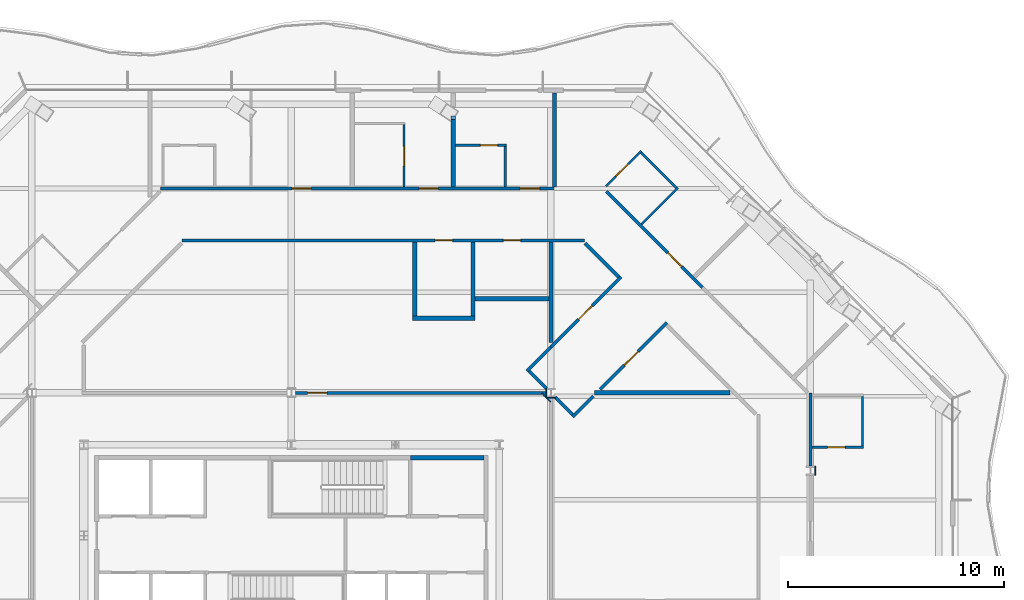
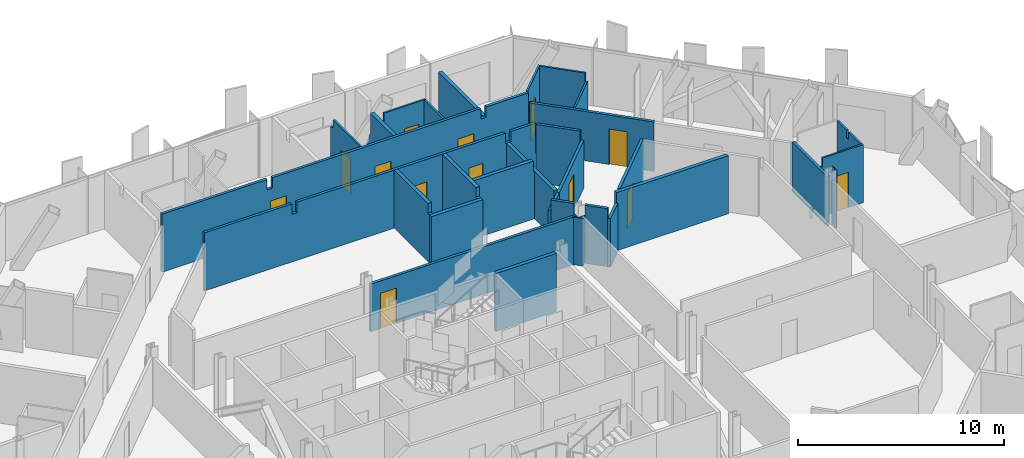
# One storey, part 12 of 21: 33 walls, 13 doors, 13 openings.
"""IFC4 building model written with IfcOpenShell, lengths in metres."""

from ifc_helpers import new_model, si_unit, direction, frame, frame_2d, origin, place, context, subcontext, project, spatial, polyline, rectangle, outline, extrude, material, layer, layer_set, type_object, element, fill, save


model = new_model("IFC4")

# Units and contexts
model_context = context("Model", 3, precision=1e-05, world=origin(), true_north=direction((0.0, 1.0)))
body_context = subcontext(model_context, "Body", "Model", "MODEL_VIEW")
ifc_project = project(units=[si_unit("LENGTHUNIT", "METRE"), si_unit("AREAUNIT", "SQUARE_METRE"), si_unit("VOLUMEUNIT", "CUBIC_METRE"), si_unit("PLANEANGLEUNIT", "RADIAN"), si_unit("MASSUNIT", "GRAM", prefix="KILO")], contexts=[model_context])

# Site, building, storey
site_placement = place(None, origin())
site = spatial("IfcSite", under=ifc_project, at=site_placement, CompositionType="ELEMENT")
building_placement = place(site_placement, origin())
building = spatial("IfcBuilding", under=site, at=building_placement, Name="Cairn Pilgrim Tower", CompositionType="ELEMENT")
storey_placement = place(building_placement, frame((0.0, 0.0, 183.0)))
storey = spatial("IfcBuildingStorey", under=building, at=storey_placement, Name="L46", CompositionType="ELEMENT", Elevation=183.0)

# Wall
ifc_material_1 = material(Name="Concrete C32/40", Category="concrete")
ifc_layer_1 = layer(ifc_material_1, 0.199951171875)
ifc_layer_set_1 = layer_set([ifc_layer_1], Name="CORE OUTER WALL 200 EI 120")
wall_type_1 = type_object("IfcWallType", Name="CORE OUTER WALL 200 EI 120", PredefinedType="SOLIDWALL", material=ifc_layer_set_1)
wall_1_placement = place(storey_placement, frame((12.699951171875, 10.199951171875, 0.0), z_axis=(0.0, 0.0, 1.0), x_axis=(1.0, 0.0, 0.0)))
element("IfcWall", 1, at=wall_1_placement, inside=storey, type_object=wall_type_1, Name="CW:L46:H12-3", PredefinedType="SOLIDWALL", context=body_context, shape_type="SweptSolid", body=[
    extrude(rectangle(XDim=3.400146484375, YDim=0.199951171875, at=frame_2d((1.7001953125, 0.0))), origin(), (0.0, 0.0, 1.0), 3.449951171875),
])

# Wall, opening, door
ifc_material_2 = material(Name="Gypsum partition")
ifc_layer_2 = layer(ifc_material_2, 0.10009765625)
ifc_layer_set_2 = layer_set([ifc_layer_2], Name="PARTITION 100 DRYWALL")
wall_type_2 = type_object("IfcWallType", Name="PARTITION 100 DRYWALL", PredefinedType="PARTITIONING", material=ifc_layer_set_2)
wall_2_placement = place(storey_placement, frame((31.27490234375, 10.68701171875, 0.0), z_axis=(0.0, 0.0, 1.0), x_axis=(1.0, 0.0, 0.0)))
wall_2 = element("IfcWall", 2, at=wall_2_placement, inside=storey, type_object=wall_type_2, Name="PARTITION W063", PredefinedType="PARTITIONING", context=body_context, shape_type="SweptSolid", body=[
    extrude(outline(polyline([(0.0, 0.0), (2.375, 0.0), (2.375, 3.449951171875), (0.074951171875, 3.449951171875), (0.072998046875, 2.929931640625), (0.0, 2.929931640625), (0.0, 0.0)])), frame((0.0, 0.050048828125, 0.0), z_axis=(0.0, -1.0, 0.0), x_axis=(1.0, 0.0, 0.0)), (0.0, 0.0, 1.0), 0.10009765625),
])
opening_1_placement = place(wall_2_placement, frame((0.72509765625, 0.0, 0.0)))
opening_1 = element("IfcOpeningElement", 3, at=opening_1_placement, cuts=wall_2, Name="Opening 4605A", PredefinedType="OPENING", context=body_context, shape_type="SweptSolid", body=[
    extrude(rectangle(XDim=0.800048828125, YDim=2.10009765625, at=frame_2d((0.39990234375, 1.050048828125))), frame((0.0, 0.06005859375, 0.0), z_axis=(0.0, -1.0, 0.0), x_axis=(1.0, 0.0, 0.0)), (0.0, 0.0, 1.0), 0.1201171875),
])
ifc_material_3 = material(Name="Timber door leaf", Category="wood")
door_type_1 = type_object("IfcDoorType", Name="WC DOOR 800x2100", OperationType="NOTDEFINED", PredefinedType="DOOR", material=ifc_material_3)
door_1_placement = place(opening_1_placement, frame((0.800048828125, 0.0, 0.0), z_axis=(0.0, 0.0, 1.0), x_axis=(-1.0, 0.0, 0.0)))
door_1 = element("IfcDoor", 4, at=door_1_placement, inside=storey, type_object=door_type_1, Name="DOOR 4605A", OperationType="SINGLE_SWING_RIGHT", OverallHeight=2.10009765625, OverallWidth=0.800048828125, PredefinedType="DOOR", context=body_context, shape_type="SweptSolid", body=[
    extrude(rectangle(XDim=0.800048828125, YDim=2.10009765625, at=frame_2d((0.39990234375, 1.050048828125))), frame((0.0, 0.02490234375, 0.0), z_axis=(0.0, -1.0, 0.0), x_axis=(1.0, 0.0, 0.0)), (0.0, 0.0, 1.0), 0.050048828125),
])
fill(opening_1, door_1)

# Walls
wall_3_placement = place(storey_placement, frame((33.60009765625, 10.737060546875, 0.0), z_axis=(0.0, 0.0, 1.0), x_axis=(0.0, 1.0, 0.0)))
element("IfcWall", 5, at=wall_3_placement, inside=storey, type_object=wall_type_2, Name="PARTITION W064", PredefinedType="PARTITIONING", context=body_context, shape_type="SweptSolid", body=[
    extrude(outline(polyline([(0.0, 0.0), (2.300048828125, 0.0), (2.300048828125, 3.449951171875), (1.35791015625, 3.449951171875), (1.35595703125, 2.97998046875), (1.16796875, 2.97998046875), (1.166015625, 3.449951171875), (0.0, 3.449951171875), (0.0, 0.0)])), frame((0.0, 0.050048828125, 0.0), z_axis=(0.0, -1.0, 0.0), x_axis=(1.0, 0.0, 0.0)), (0.0, 0.0, 1.0), 0.10009765625),
])
wall_4_placement = place(storey_placement, frame((23.386962890625, 21.006103515625, 0.0), z_axis=(0.0, 0.0, 1.0), x_axis=(0.707158179099, 0.707055379538, 0.0)))
element("IfcWall", 6, at=wall_4_placement, inside=storey, type_object=wall_type_2, Name="PARTITION W098", PredefinedType="PARTITIONING", context=body_context, shape_type="SweptSolid", body=[
    extrude(rectangle(XDim=2.375, YDim=0.10009765625, at=frame_2d((1.1875, 0.0))), origin(), (0.0, 0.0, 1.0), 2.929931640625),
])

# Wall, opening, door
wall_5_placement = place(storey_placement, frame((12.412109375, 22.72509765625, 0.0), z_axis=(0.0, 0.0, 1.0), x_axis=(0.0, 1.0, 0.0)))
wall_5 = element("IfcWall", 7, at=wall_5_placement, inside=storey, type_object=wall_type_2, Name="PARTITION W106", PredefinedType="PARTITIONING", context=body_context, shape_type="SweptSolid", body=[
    extrude(outline(polyline([(0.0, 0.0), (2.875, 0.0), (2.875, 2.929931640625), (2.625, 2.929931640625), (2.623046875, 3.449951171875), (0.0, 3.449951171875), (0.0, 0.0)])), frame((0.0, 0.050048828125, 0.0), z_axis=(0.0, -1.0, 0.0), x_axis=(1.0, 0.0, 0.0)), (0.0, 0.0, 1.0), 0.10009765625),
])
opening_2_placement = place(wall_5_placement, frame((0.97509765625, 0.0, 0.0)))
opening_2 = element("IfcOpeningElement", 8, at=opening_2_placement, cuts=wall_5, Name="Opening 4609A", PredefinedType="OPENING", context=body_context, shape_type="SweptSolid", body=[
    extrude(rectangle(XDim=0.89990234375, YDim=2.10009765625, at=frame_2d((0.449951171875, 1.050048828125))), frame((0.0, 0.06005859375, 0.0), z_axis=(0.0, -1.0, 0.0), x_axis=(1.0, 0.0, 0.0)), (0.0, 0.0, 1.0), 0.1201171875),
])
door_type_2 = type_object("IfcDoorType", Name="WC DOOR 900x2100", OperationType="NOTDEFINED", PredefinedType="DOOR", material=ifc_material_3)
door_2_placement = place(opening_2_placement, frame((0.89990234375, 0.0, 0.0), z_axis=(0.0, 0.0, 1.0), x_axis=(-1.0, 0.0, 0.0)))
door_2 = element("IfcDoor", 9, at=door_2_placement, inside=storey, type_object=door_type_2, Name="DOOR 4609A", OperationType="SINGLE_SWING_RIGHT", OverallHeight=2.10009765625, OverallWidth=0.89990234375, PredefinedType="DOOR", context=body_context, shape_type="SweptSolid", body=[
    extrude(rectangle(XDim=0.89990234375, YDim=2.10009765625, at=frame_2d((0.449951171875, 1.050048828125))), frame((0.0, 0.02490234375, 0.0), z_axis=(0.0, -1.0, 0.0), x_axis=(1.0, 0.0, 0.0)), (0.0, 0.0, 1.0), 0.050048828125),
])
fill(opening_2, door_2)

# Walls
wall_6_placement = place(storey_placement, frame((17.087890625, 22.72509765625, 0.0), z_axis=(0.0, 0.0, 1.0), x_axis=(0.0, 1.0, 0.0)))
element("IfcWall", 10, at=wall_6_placement, inside=storey, type_object=wall_type_2, Name="PARTITION W108", PredefinedType="PARTITIONING", context=body_context, shape_type="SweptSolid", body=[
    extrude(rectangle(XDim=1.875, YDim=0.10009765625, at=frame_2d((0.9375, 0.0))), origin(), (0.0, 0.0, 1.0), 3.449951171875),
])
wall_7_placement = place(storey_placement, frame((24.99560546875, 22.685302734375, 0.0), z_axis=(0.0, 0.0, 1.0), x_axis=(-0.707106781187, 0.707106781187, 0.0)))
element("IfcWall", 11, at=wall_7_placement, inside=storey, type_object=wall_type_2, Name="PARTITION W110", PredefinedType="PARTITIONING", context=body_context, shape_type="SweptSolid", body=[
    extrude(rectangle(XDim=2.2998046875, YDim=0.10009765625, at=frame_2d((1.14990234375, 0.0))), origin(), (0.0, 0.0, 1.0), 3.449951171875),
])

# Wall, opening, door
wall_8_placement = place(storey_placement, frame((21.747314453125, 22.760498046875, 0.0), z_axis=(0.0, 0.0, 1.0), x_axis=(0.707159997125, 0.707053561243, 0.0)))
wall_8 = element("IfcWall", 12, at=wall_8_placement, inside=storey, type_object=wall_type_2, Name="PARTITION W111", PredefinedType="PARTITIONING", context=body_context, shape_type="SweptSolid", body=[
    extrude(rectangle(XDim=2.293701171875, YDim=0.10009765625, at=frame_2d((1.14697265625, 0.0))), origin(), (0.0, 0.0, 1.0), 3.449951171875),
])
opening_3_placement = place(wall_8_placement, frame((0.643798828125, 0.0, 0.0)))
opening_3 = element("IfcOpeningElement", 13, at=opening_3_placement, cuts=wall_8, Name="Opening 4607A", PredefinedType="OPENING", context=body_context, shape_type="SweptSolid", body=[
    extrude(rectangle(XDim=0.800048828125, YDim=2.10009765625, at=frame_2d((0.39990234375, 1.050048828125))), frame((0.0, 0.06005859375, 0.0), z_axis=(0.0, -1.0, 0.0), x_axis=(1.0, 0.0, 0.0)), (0.0, 0.0, 1.0), 0.1201171875),
])
door_3_placement = place(opening_3_placement, origin())
door_3 = element("IfcDoor", 14, at=door_3_placement, inside=storey, type_object=door_type_1, Name="DOOR 4607A", OperationType="SINGLE_SWING_RIGHT", OverallHeight=2.10009765625, OverallWidth=0.800048828125, PredefinedType="DOOR", context=body_context, shape_type="SweptSolid", body=[
    extrude(rectangle(XDim=0.800048828125, YDim=2.10009765625, at=frame_2d((0.39990234375, 1.050048828125))), frame((0.0, 0.02490234375, 0.0), z_axis=(0.0, -1.0, 0.0), x_axis=(1.0, 0.0, 0.0)), (0.0, 0.0, 1.0), 0.050048828125),
])
fill(opening_3, door_3)

wall_9_placement = place(storey_placement, frame((14.7880859375, 24.64990234375, 0.0), z_axis=(0.0, 0.0, 1.0), x_axis=(1.0, 0.0, 0.0)))
wall_9 = element("IfcWall", 15, at=wall_9_placement, inside=storey, type_object=wall_type_2, Name="PARTITION W113", PredefinedType="PARTITIONING", context=body_context, shape_type="SweptSolid", body=[
    extrude(rectangle(XDim=2.349853515625, YDim=0.10009765625, at=frame_2d((1.1748046875, 0.0))), origin(), (0.0, 0.0, 1.0), 3.449951171875),
])
opening_4_placement = place(wall_9_placement, frame((1.14990234375, 0.0, 0.0)))
opening_4 = element("IfcOpeningElement", 16, at=opening_4_placement, cuts=wall_9, Name="Opening 4608A", PredefinedType="OPENING", context=body_context, shape_type="SweptSolid", body=[
    extrude(rectangle(XDim=0.800048828125, YDim=2.10009765625, at=frame_2d((0.39990234375, 1.050048828125))), frame((0.0, 0.06005859375, 0.0), z_axis=(0.0, -1.0, 0.0), x_axis=(1.0, 0.0, 0.0)), (0.0, 0.0, 1.0), 0.1201171875),
])
door_4_placement = place(opening_4_placement, origin())
door_4 = element("IfcDoor", 17, at=door_4_placement, inside=storey, type_object=door_type_1, Name="DOOR 4608A", OperationType="SINGLE_SWING_RIGHT", OverallHeight=2.10009765625, OverallWidth=0.800048828125, PredefinedType="DOOR", context=body_context, shape_type="SweptSolid", body=[
    extrude(rectangle(XDim=0.800048828125, YDim=2.10009765625, at=frame_2d((0.39990234375, 1.050048828125))), frame((0.0, 0.02490234375, 0.0), z_axis=(0.0, -1.0, 0.0), x_axis=(1.0, 0.0, 0.0)), (0.0, 0.0, 1.0), 0.050048828125),
])
fill(opening_4, door_4)

# Walls
ifc_layer_3 = layer(ifc_material_2, 0.14990234375)
ifc_layer_set_3 = layer_set([ifc_layer_3], Name="PARTITION 150 DRYWALL EI 60")
wall_type_3 = type_object("IfcWallType", Name="PARTITION 150 DRYWALL EI 60", PredefinedType="PARTITIONING", material=ifc_layer_set_3)
wall_10_placement = place(storey_placement, frame((31.199951171875, 9.8125, 0.0), z_axis=(0.0, 0.0, 1.0), x_axis=(0.0, 1.0, 0.0)))
element("IfcWall", 18, at=wall_10_placement, inside=storey, type_object=wall_type_3, Name="PARTITION W062", PredefinedType="PARTITIONING", context=body_context, shape_type="SweptSolid", body=[
    extrude(rectangle(XDim=3.38037109375, YDim=0.14990234375, at=frame_2d((1.690185546875, 0.0))), origin(), (0.0, 0.0, 1.0), 2.929931640625),
])
wall_11_placement = place(storey_placement, frame((20.2080078125, 12.0859375, 0.0), z_axis=(0.0, 0.0, 1.0), x_axis=(0.706747296365, 0.707466083343, 0.0)))
element("IfcWall", 19, at=wall_11_placement, inside=storey, type_object=wall_type_3, Name="PARTITION W067", PredefinedType="PARTITIONING", context=body_context, shape_type="SweptSolid", body=[
    extrude(rectangle(XDim=1.358642578125, YDim=0.14990234375, at=frame_2d((0.67919921875, 0.0))), origin(), (0.0, 0.0, 1.0), 2.8798828125),
])
wall_12_placement = place(storey_placement, frame((20.2080078125, 12.192138671875, 0.0), z_axis=(0.0, 0.0, 1.0), x_axis=(-0.70721334539, 0.707000200921, 0.0)))
element("IfcWall", 20, at=wall_12_placement, inside=storey, type_object=wall_type_3, Name="PARTITION W068", PredefinedType="PARTITIONING", context=body_context, shape_type="SweptSolid", body=[
    extrude(rectangle(XDim=1.1455078125, YDim=0.14990234375, at=frame_2d((0.57275390625, 0.0))), origin(), (0.0, 0.0, 1.0), 3.449951171875),
])

# Wall, opening, door
wall_13_placement = place(storey_placement, frame((7.3994140625, 13.199951171875, 0.0), z_axis=(0.0, 0.0, 1.0), x_axis=(1.0, 0.0, 0.0)))
wall_13 = element("IfcWall", 21, at=wall_13_placement, inside=storey, type_object=wall_type_3, Name="PARTITION W073", PredefinedType="PARTITIONING", context=body_context, shape_type="SweptSolid", body=[
    extrude(rectangle(XDim=11.60107421875, YDim=0.14990234375, at=frame_2d((5.800537109375, 0.0))), origin(), (0.0, 0.0, 1.0), 2.830078125),
])
opening_5_placement = place(wall_13_placement, frame((0.550537109375, 0.0, 0.0)))
opening_5 = element("IfcOpeningElement", 22, at=opening_5_placement, cuts=wall_13, Name="Opening 4624", PredefinedType="OPENING", context=body_context, shape_type="SweptSolid", body=[
    extrude(rectangle(XDim=0.89990234375, YDim=2.10009765625, at=frame_2d((0.449951171875, 1.050048828125))), frame((0.0, 0.0849609375, 0.0), z_axis=(0.0, -1.0, 0.0), x_axis=(1.0, 0.0, 0.0)), (0.0, 0.0, 1.0), 0.169921875),
])
door_type_3 = type_object("IfcDoorType", Name="SERVICE DOOR 900x2100 FD30S", OperationType="NOTDEFINED", PredefinedType="DOOR", material=ifc_material_3)
door_5_placement = place(opening_5_placement, origin())
door_5 = element("IfcDoor", 23, at=door_5_placement, inside=storey, type_object=door_type_3, Name="DOOR 4624", OperationType="SINGLE_SWING_RIGHT", OverallHeight=2.10009765625, OverallWidth=0.89990234375, PredefinedType="DOOR", context=body_context, shape_type="SweptSolid", body=[
    extrude(rectangle(XDim=0.89990234375, YDim=2.10009765625, at=frame_2d((0.449951171875, 1.050048828125))), frame((0.0, 0.02490234375, 0.0), z_axis=(0.0, -1.0, 0.0), x_axis=(1.0, 0.0, 0.0)), (0.0, 0.0, 1.0), 0.050048828125),
])
fill(opening_5, door_5)

# Wall
wall_14_placement = place(storey_placement, frame((19.001953125, 13.39794921875, 0.0), z_axis=(0.0, 0.0, 1.0), x_axis=(-0.707000200921, 0.70721334539, 0.0)))
element("IfcWall", 24, at=wall_14_placement, inside=storey, type_object=wall_type_3, Name="PARTITION W077", PredefinedType="PARTITIONING", context=body_context, shape_type="SweptSolid", body=[
    extrude(rectangle(XDim=1.1455078125, YDim=0.14990234375, at=frame_2d((0.57275390625, 0.0))), origin(), (0.0, 0.0, 1.0), 3.449951171875),
])

# Wall, opening, door
wall_15_placement = place(storey_placement, frame((21.47412109375, 13.35302734375, 0.0), z_axis=(0.0, 0.0, 1.0), x_axis=(0.707078810744, 0.707134750523, 0.0)))
wall_15 = element("IfcWall", 25, at=wall_15_placement, inside=storey, type_object=wall_type_3, Name="PARTITION W078", PredefinedType="PARTITIONING", context=body_context, shape_type="SweptSolid", body=[
    extrude(rectangle(XDim=4.3642578125, YDim=0.14990234375, at=frame_2d((2.18212890625, 0.0))), origin(), (0.0, 0.0, 1.0), 3.449951171875),
])
opening_6_placement = place(wall_15_placement, frame((1.586181640625, 0.0, 0.0)))
opening_6 = element("IfcOpeningElement", 26, at=opening_6_placement, cuts=wall_15, Name="Opening 4622", PredefinedType="OPENING", context=body_context, shape_type="SweptSolid", body=[
    extrude(rectangle(XDim=0.89990234375, YDim=2.10009765625, at=frame_2d((0.449951171875, 1.050048828125))), frame((0.0, 0.0849609375, 0.0), z_axis=(0.0, -1.0, 0.0), x_axis=(1.0, 0.0, 0.0)), (0.0, 0.0, 1.0), 0.169921875),
])
door_6_placement = place(opening_6_placement, frame((0.89990234375, 0.0, 0.0), z_axis=(0.0, 0.0, 1.0), x_axis=(-1.0, 0.0, 0.0)))
door_6 = element("IfcDoor", 27, at=door_6_placement, inside=storey, type_object=door_type_3, Name="DOOR 4622", OperationType="SINGLE_SWING_RIGHT", OverallHeight=2.10009765625, OverallWidth=0.89990234375, PredefinedType="DOOR", context=body_context, shape_type="SweptSolid", body=[
    extrude(rectangle(XDim=0.89990234375, YDim=2.10009765625, at=frame_2d((0.449951171875, 1.050048828125))), frame((0.0, 0.02490234375, 0.0), z_axis=(0.0, -1.0, 0.0), x_axis=(1.0, 0.0, 0.0)), (0.0, 0.0, 1.0), 0.050048828125),
])
fill(opening_6, door_6)

# Wall
wall_16_placement = place(storey_placement, frame((18.0859375, 14.2080078125, 0.0), z_axis=(0.0, 0.0, 1.0), x_axis=(0.707416779731, 0.706796646678, 0.0)))
element("IfcWall", 28, at=wall_16_placement, inside=storey, type_object=wall_type_3, Name="PARTITION W081", PredefinedType="PARTITIONING", context=body_context, shape_type="SweptSolid", body=[
    extrude(rectangle(XDim=1.57470703125, YDim=0.14990234375, at=frame_2d((0.787353515625, 0.0))), origin(), (0.0, 0.0, 1.0), 2.830078125),
])

# Wall, opening, door
wall_17_placement = place(storey_placement, frame((19.199951171875, 15.321044921875, 0.0), z_axis=(0.0, 0.0, 1.0), x_axis=(0.707106781187, 0.707106781187, 0.0)))
wall_17 = element("IfcWall", 29, at=wall_17_placement, inside=storey, type_object=wall_type_3, Name="PARTITION W082", PredefinedType="PARTITIONING", context=body_context, shape_type="SweptSolid", body=[
    extrude(rectangle(XDim=4.58056640625, YDim=0.14990234375, at=frame_2d((2.290283203125, 0.0))), origin(), (0.0, 0.0, 1.0), 2.830078125),
])
opening_7_placement = place(wall_17_placement, frame((1.802978515625, 0.0, 0.0)))
opening_7 = element("IfcOpeningElement", 30, at=opening_7_placement, cuts=wall_17, Name="Opening 4623", PredefinedType="OPENING", context=body_context, shape_type="SweptSolid", body=[
    extrude(rectangle(XDim=0.89990234375, YDim=2.10009765625, at=frame_2d((0.449951171875, 1.050048828125))), frame((0.0, 0.0849609375, 0.0), z_axis=(0.0, -1.0, 0.0), x_axis=(1.0, 0.0, 0.0)), (0.0, 0.0, 1.0), 0.169921875),
])
door_7_placement = place(opening_7_placement, origin())
door_7 = element("IfcDoor", 31, at=door_7_placement, inside=storey, type_object=door_type_3, Name="DOOR 4623", OperationType="SINGLE_SWING_RIGHT", OverallHeight=2.10009765625, OverallWidth=0.89990234375, PredefinedType="DOOR", context=body_context, shape_type="SweptSolid", body=[
    extrude(rectangle(XDim=0.89990234375, YDim=2.10009765625, at=frame_2d((0.449951171875, 1.050048828125))), frame((0.0, 0.02490234375, 0.0), z_axis=(0.0, -1.0, 0.0), x_axis=(1.0, 0.0, 0.0)), (0.0, 0.0, 1.0), 0.050048828125),
])
fill(opening_7, door_7)

wall_18_placement = place(storey_placement, frame((26.2041015625, 18.0830078125, 0.0), z_axis=(0.0, 0.0, 1.0), x_axis=(-0.707106781187, 0.707106781187, 0.0)))
wall_18 = element("IfcWall", 32, at=wall_18_placement, inside=storey, type_object=wall_type_3, Name="PARTITION W091", PredefinedType="PARTITIONING", context=body_context, shape_type="SweptSolid", body=[
    extrude(rectangle(XDim=6.277587890625, YDim=0.14990234375, at=frame_2d((3.138671875, 0.0))), origin(), (0.0, 0.0, 1.0), 2.929931640625),
])
opening_8_placement = place(wall_18_placement, frame((1.3525390625, 0.0, 0.0)))
opening_8 = element("IfcOpeningElement", 33, at=opening_8_placement, cuts=wall_18, Name="Opening 4607", PredefinedType="OPENING", context=body_context, shape_type="SweptSolid", body=[
    extrude(rectangle(XDim=0.89990234375, YDim=2.10009765625, at=frame_2d((0.449951171875, 1.050048828125))), frame((0.0, 0.0849609375, 0.0), z_axis=(0.0, -1.0, 0.0), x_axis=(1.0, 0.0, 0.0)), (0.0, 0.0, 1.0), 0.169921875),
])
door_type_4 = type_object("IfcDoorType", Name="ROOM DOOR 900x2100 FD30S", OperationType="NOTDEFINED", PredefinedType="DOOR", material=ifc_material_3)
door_8_placement = place(opening_8_placement, frame((0.89990234375, 0.0, 0.0), z_axis=(0.0, 0.0, 1.0), x_axis=(-1.0, 0.0, 0.0)))
door_8 = element("IfcDoor", 34, at=door_8_placement, inside=storey, type_object=door_type_4, Name="DOOR 4607", OperationType="SINGLE_SWING_RIGHT", OverallHeight=2.10009765625, OverallWidth=0.89990234375, PredefinedType="DOOR", context=body_context, shape_type="SweptSolid", body=[
    extrude(rectangle(XDim=0.89990234375, YDim=2.10009765625, at=frame_2d((0.449951171875, 1.050048828125))), frame((0.0, 0.02490234375, 0.0), z_axis=(0.0, -1.0, 0.0), x_axis=(1.0, 0.0, 0.0)), (0.0, 0.0, 1.0), 0.050048828125),
])
fill(opening_8, door_8)

# Wall
wall_19_placement = place(storey_placement, frame((22.3330078125, 18.56005859375, 0.0), z_axis=(0.0, 0.0, 1.0), x_axis=(-0.707106781187, 0.707106781187, 0.0)))
element("IfcWall", 35, at=wall_19_placement, inside=storey, type_object=wall_type_3, Name="PARTITION W092", PredefinedType="PARTITIONING", context=body_context, shape_type="SweptSolid", body=[
    extrude(rectangle(XDim=2.208984375, YDim=0.14990234375, at=frame_2d((1.1044921875, 0.0))), origin(), (0.0, 0.0, 1.0), 3.449951171875),
])

# Wall, openings, doors
wall_20_placement = place(storey_placement, frame((2.143798828125, 20.25, 0.0), z_axis=(0.0, 0.0, 1.0), x_axis=(1.0, 0.0, 0.0)))
wall_20 = element("IfcWall", 36, at=wall_20_placement, inside=storey, type_object=wall_type_3, Name="PARTITION W097", PredefinedType="PARTITIONING", context=body_context, shape_type="SweptSolid", body=[
    extrude(outline(polyline([(0.0, 0.0), (18.605224609375, 0.0), (18.60498046875, 3.449951171875), (17.2060546875, 3.449951171875), (17.2041015625, 2.830078125), (16.906005859375, 2.830078125), (16.904052734375, 3.449951171875), (5.2060546875, 3.449951171875), (5.2041015625, 2.830078125), (4.906005859375, 2.830078125), (4.904052734375, 3.449951171875), (0.0, 3.449951171875), (0.0, 0.0)])), frame((0.0, 0.074951171875, 0.0), z_axis=(0.0, -1.0, 0.0), x_axis=(1.0, 0.0, 0.0)), (0.0, 0.0, 1.0), 0.14990234375),
])
opening_9_placement = place(wall_20_placement, frame((14.85595703125, 0.0, 0.0)))
opening_9 = element("IfcOpeningElement", 37, at=opening_9_placement, cuts=wall_20, Name="Opening 4618", PredefinedType="OPENING", context=body_context, shape_type="SweptSolid", body=[
    extrude(rectangle(XDim=0.800048828125, YDim=2.10009765625, at=frame_2d((0.39990234375, 1.050048828125))), frame((0.0, 0.0849609375, 0.0), z_axis=(0.0, -1.0, 0.0), x_axis=(1.0, 0.0, 0.0)), (0.0, 0.0, 1.0), 0.169921875),
])
opening_10_placement = place(wall_20_placement, frame((11.7060546875, 0.0, 0.0)))
opening_10 = element("IfcOpeningElement", 38, at=opening_10_placement, cuts=wall_20, Name="Opening 4619", PredefinedType="OPENING", context=body_context, shape_type="SweptSolid", body=[
    extrude(rectangle(XDim=0.800048828125, YDim=2.10009765625, at=frame_2d((0.39990234375, 1.050048828125))), frame((0.0, 0.0849609375, 0.0), z_axis=(0.0, -1.0, 0.0), x_axis=(1.0, 0.0, 0.0)), (0.0, 0.0, 1.0), 0.169921875),
])
door_type_5 = type_object("IfcDoorType", Name="WC DOOR 800x2100 FD30S", OperationType="NOTDEFINED", PredefinedType="DOOR", material=ifc_material_3)
door_9_placement = place(opening_9_placement, frame((0.800048828125, 0.0, 0.0), z_axis=(0.0, 0.0, 1.0), x_axis=(-1.0, 0.0, 0.0)))
door_9 = element("IfcDoor", 39, at=door_9_placement, inside=storey, type_object=door_type_5, Name="DOOR 4618", OperationType="SINGLE_SWING_LEFT", OverallHeight=2.10009765625, OverallWidth=0.800048828125, PredefinedType="DOOR", context=body_context, shape_type="SweptSolid", body=[
    extrude(rectangle(XDim=0.800048828125, YDim=2.10009765625, at=frame_2d((0.39990234375, 1.050048828125))), frame((0.0, 0.02490234375, 0.0), z_axis=(0.0, -1.0, 0.0), x_axis=(1.0, 0.0, 0.0)), (0.0, 0.0, 1.0), 0.050048828125),
])
fill(opening_9, door_9)
door_10_placement = place(opening_10_placement, frame((0.800048828125, 0.0, 0.0), z_axis=(0.0, 0.0, 1.0), x_axis=(-1.0, 0.0, 0.0)))
door_10 = element("IfcDoor", 40, at=door_10_placement, inside=storey, type_object=door_type_5, Name="DOOR 4619", OperationType="SINGLE_SWING_LEFT", OverallHeight=2.10009765625, OverallWidth=0.800048828125, PredefinedType="DOOR", context=body_context, shape_type="SweptSolid", body=[
    extrude(rectangle(XDim=0.800048828125, YDim=2.10009765625, at=frame_2d((0.39990234375, 1.050048828125))), frame((0.0, 0.02490234375, 0.0), z_axis=(0.0, -1.0, 0.0), x_axis=(1.0, 0.0, 0.0)), (0.0, 0.0, 1.0), 0.050048828125),
])
fill(opening_10, door_10)

wall_21_placement = place(storey_placement, frame((1.14990234375, 22.64990234375, 0.0), z_axis=(0.0, 0.0, 1.0), x_axis=(1.0, 0.0, 0.0)))
wall_21 = element("IfcWall", 41, at=wall_21_placement, inside=storey, type_object=wall_type_3, Name="PARTITION W101", PredefinedType="PARTITIONING", context=body_context, shape_type="SweptSolid", body=[
    extrude(outline(polyline([(0.0, 0.0), (20.593017578125, 0.0), (20.593017578125, 3.449951171875), (18.2001953125, 3.449951171875), (18.197998046875, 2.830078125), (17.900146484375, 2.830078125), (17.898193359375, 3.449951171875), (6.2001953125, 3.449951171875), (6.197998046875, 2.830078125), (5.900146484375, 2.830078125), (5.898193359375, 3.449951171875), (0.0, 3.449951171875), (0.0, 0.0)])), frame((0.0, 0.074951171875, 0.0), z_axis=(0.0, -1.0, 0.0), x_axis=(1.0, 0.0, 0.0)), (0.0, 0.0, 1.0), 0.14990234375),
])
opening_11_placement = place(wall_21_placement, frame((16.6259765625, 0.0, 0.0)))
opening_11 = element("IfcOpeningElement", 42, at=opening_11_placement, cuts=wall_21, Name="Opening 4608", PredefinedType="OPENING", context=body_context, shape_type="SweptSolid", body=[
    extrude(rectangle(XDim=0.89990234375, YDim=2.10009765625, at=frame_2d((0.449951171875, 1.050048828125))), frame((0.0, 0.0849609375, 0.0), z_axis=(0.0, -1.0, 0.0), x_axis=(1.0, 0.0, 0.0)), (0.0, 0.0, 1.0), 0.169921875),
])
opening_12_placement = place(wall_21_placement, frame((11.949951171875, 0.0, 0.0)))
opening_12 = element("IfcOpeningElement", 43, at=opening_12_placement, cuts=wall_21, Name="Opening 4609", PredefinedType="OPENING", context=body_context, shape_type="SweptSolid", body=[
    extrude(rectangle(XDim=0.89990234375, YDim=2.10009765625, at=frame_2d((0.449951171875, 1.050048828125))), frame((0.0, 0.0849609375, 0.0), z_axis=(0.0, -1.0, 0.0), x_axis=(1.0, 0.0, 0.0)), (0.0, 0.0, 1.0), 0.169921875),
])
opening_13_placement = place(wall_21_placement, frame((6.074951171875, 0.0, 0.0)))
opening_13 = element("IfcOpeningElement", 44, at=opening_13_placement, cuts=wall_21, Name="Opening 4610", PredefinedType="OPENING", context=body_context, shape_type="SweptSolid", body=[
    extrude(rectangle(XDim=0.89990234375, YDim=2.10009765625, at=frame_2d((0.449951171875, 1.050048828125))), frame((0.0, 0.0849609375, 0.0), z_axis=(0.0, -1.0, 0.0), x_axis=(1.0, 0.0, 0.0)), (0.0, 0.0, 1.0), 0.169921875),
])
door_11_placement = place(opening_11_placement, origin())
door_11 = element("IfcDoor", 45, at=door_11_placement, inside=storey, type_object=door_type_4, Name="DOOR 4608", OperationType="SINGLE_SWING_RIGHT", OverallHeight=2.10009765625, OverallWidth=0.89990234375, PredefinedType="DOOR", context=body_context, shape_type="SweptSolid", body=[
    extrude(rectangle(XDim=0.89990234375, YDim=2.10009765625, at=frame_2d((0.449951171875, 1.050048828125))), frame((0.0, 0.02490234375, 0.0), z_axis=(0.0, -1.0, 0.0), x_axis=(1.0, 0.0, 0.0)), (0.0, 0.0, 1.0), 0.050048828125),
])
fill(opening_11, door_11)
door_12_placement = place(opening_12_placement, origin())
door_12 = element("IfcDoor", 46, at=door_12_placement, inside=storey, type_object=door_type_4, Name="DOOR 4609", OperationType="SINGLE_SWING_RIGHT", OverallHeight=2.10009765625, OverallWidth=0.89990234375, PredefinedType="DOOR", context=body_context, shape_type="SweptSolid", body=[
    extrude(rectangle(XDim=0.89990234375, YDim=2.10009765625, at=frame_2d((0.449951171875, 1.050048828125))), frame((0.0, 0.02490234375, 0.0), z_axis=(0.0, -1.0, 0.0), x_axis=(1.0, 0.0, 0.0)), (0.0, 0.0, 1.0), 0.050048828125),
])
fill(opening_12, door_12)
door_13_placement = place(opening_13_placement, origin())
door_13 = element("IfcDoor", 47, at=door_13_placement, inside=storey, type_object=door_type_4, Name="DOOR 4610", OperationType="SINGLE_SWING_LEFT", OverallHeight=2.10009765625, OverallWidth=0.89990234375, PredefinedType="DOOR", context=body_context, shape_type="SweptSolid", body=[
    extrude(rectangle(XDim=0.89990234375, YDim=2.10009765625, at=frame_2d((0.449951171875, 1.050048828125))), frame((0.0, 0.02490234375, 0.0), z_axis=(0.0, -1.0, 0.0), x_axis=(1.0, 0.0, 0.0)), (0.0, 0.0, 1.0), 0.050048828125),
])
fill(opening_13, door_13)

# Walls
ifc_layer_4 = layer(ifc_material_2, 0.050048828125)
ifc_layer_set_4 = layer_set([ifc_layer_4], Name="PARTITION 50 DRYWALL EI 60")
wall_type_4 = type_object("IfcWallType", Name="PARTITION 50 DRYWALL EI 60", PredefinedType="PARTITIONING", material=ifc_layer_set_4)
wall_22_placement = place(storey_placement, frame((31.429443359375, 9.387451171875, 0.0), z_axis=(0.0, 0.0, 1.0), x_axis=(0.0, 1.0, 0.0)))
element("IfcWall", 48, at=wall_22_placement, inside=storey, type_object=wall_type_4, Name="COLUMN CASING WC15", PredefinedType="PARTITIONING", context=body_context, shape_type="SweptSolid", body=[
    extrude(rectangle(XDim=0.425048828125, YDim=0.050048828125, at=frame_2d((0.21240234375, 0.0))), origin(), (0.0, 0.0, 1.0), 3.449951171875),
])
wall_23_placement = place(storey_placement, frame((18.9755859375, 13.00341796875, 0.0), z_axis=(0.0, 0.0, 1.0), x_axis=(0.0, 1.0, 0.0)))
element("IfcWall", 49, at=wall_23_placement, inside=storey, type_object=wall_type_4, Name="COLUMN CASING WC18", PredefinedType="PARTITIONING", context=body_context, shape_type="SweptSolid", body=[
    extrude(rectangle(XDim=0.39306640625, YDim=0.050048828125, at=frame_2d((0.196533203125, 0.0))), origin(), (0.0, 0.0, 1.0), 2.830078125),
])
wall_24_placement = place(storey_placement, frame((19.182373046875, 12.786376953125, 0.0), z_axis=(0.0, 0.0, 1.0), x_axis=(-0.707106781187, 0.707106781187, 0.0)))
element("IfcWall", 50, at=wall_24_placement, inside=storey, type_object=wall_type_4, Name="COLUMN CASING WC21", PredefinedType="PARTITIONING", context=body_context, shape_type="SweptSolid", body=[
    extrude(rectangle(XDim=0.56005859375, YDim=0.050048828125, at=frame_2d((0.280029296875, 0.0))), origin(), (0.0, 0.0, 1.0), 2.830078125),
])
wall_25_placement = place(storey_placement, frame((19.00048828125, 12.978515625, 0.0), z_axis=(0.0, 0.0, 1.0), x_axis=(1.0, 0.0, 0.0)))
element("IfcWall", 51, at=wall_25_placement, inside=storey, type_object=wall_type_4, Name="COLUMN CASING WC25", PredefinedType="PARTITIONING", context=body_context, shape_type="SweptSolid", body=[
    extrude(rectangle(XDim=0.39892578125, YDim=0.050048828125, at=frame_2d((0.199462890625, 0.0))), origin(), (0.0, 0.0, 1.0), 2.830078125),
])
ifc_layer_5 = layer(ifc_material_2, 0.199951171875)
ifc_layer_set_5 = layer_set([ifc_layer_5], Name="SHAFT WALL 200 GYPSUM EI 60")
wall_type_5 = type_object("IfcWallType", Name="SHAFT WALL 200 GYPSUM EI 60", PredefinedType="PARTITIONING", material=ifc_layer_set_5)
wall_26_placement = place(storey_placement, frame((21.20458984375, 13.199951171875, 0.0), z_axis=(0.0, 0.0, 1.0), x_axis=(1.0, 0.0, 0.0)))
element("IfcWall", 52, at=wall_26_placement, inside=storey, type_object=wall_type_5, Name="PARTITION W074", PredefinedType="PARTITIONING", context=body_context, shape_type="SweptSolid", body=[
    extrude(rectangle(XDim=6.282470703125, YDim=0.199951171875, at=frame_2d((3.14111328125, 0.0))), origin(), (0.0, 0.0, 1.0), 3.449951171875),
])
wall_27_placement = place(storey_placement, frame((19.199951171875, 15.52685546875, 0.0), z_axis=(0.0, 0.0, 1.0), x_axis=(0.0, 1.0, 0.0)))
element("IfcWall", 53, at=wall_27_placement, inside=storey, type_object=wall_type_5, Name="PARTITION W084", PredefinedType="PARTITIONING", context=body_context, shape_type="SweptSolid", body=[
    extrude(rectangle(XDim=4.648193359375, YDim=0.199951171875, at=frame_2d((2.32421875, 0.0))), origin(), (0.0, 0.0, 1.0), 2.830078125),
])
wall_28_placement = place(storey_placement, frame((12.800048828125, 16.64990234375, 0.0), z_axis=(0.0, 0.0, 1.0), x_axis=(1.0, 0.0, 0.0)))
element("IfcWall", 54, at=wall_28_placement, inside=storey, type_object=wall_type_5, Name="PARTITION W085", PredefinedType="PARTITIONING", context=body_context, shape_type="SweptSolid", body=[
    extrude(rectangle(XDim=2.89990234375, YDim=0.199951171875, at=frame_2d((1.449951171875, 0.0))), origin(), (0.0, 0.0, 1.0), 2.8798828125),
])
for number, where, z_axis, x_axis, name in (
    (55, (12.89990234375, 16.75, 0.0), (0.0, 0.0, 1.0), (0.0, 1.0, 0.0), "PARTITION W086"),
    (56, (15.60009765625, 16.75, 0.0), (0.0, 0.0, 1.0), (0.0, 1.0, 0.0), "PARTITION W087"),
):
    element("IfcWall", number, at=place(storey_placement, frame(where, z_axis=z_axis, x_axis=x_axis)), inside=storey, type_object=wall_type_5, Name=name, PredefinedType="PARTITIONING", context=body_context, shape_type="SweptSolid", body=[
        extrude(outline(polyline([(0.0, 0.0), (3.425048828125, 0.0), (3.425048828125, 3.449951171875), (0.155029296875, 3.449951171875), (0.153076171875, 2.8798828125), (0.0, 2.8798828125), (0.0, 0.0)])), frame((0.0, 0.10009765625, 0.0), z_axis=(0.0, -1.0, 0.0), x_axis=(1.0, 0.0, 0.0)), (0.0, 0.0, 1.0), 0.199951171875),
    ])
wall_29_placement = place(storey_placement, frame((15.699951171875, 17.550048828125, 0.0), z_axis=(0.0, 0.0, 1.0), x_axis=(1.0, 0.0, 0.0)))
element("IfcWall", 57, at=wall_29_placement, inside=storey, type_object=wall_type_5, Name="PARTITION W089", PredefinedType="PARTITIONING", context=body_context, shape_type="SweptSolid", body=[
    extrude(outline(polyline([(0.0, 0.0), (3.400146484375, 0.0), (3.39990234375, 2.830078125), (3.35009765625, 2.830078125), (3.347900390625, 3.449951171875), (0.0, 3.449951171875), (0.0, 0.0)])), frame((0.0, 0.10009765625, 0.0), z_axis=(0.0, -1.0, 0.0), x_axis=(1.0, 0.0, 0.0)), (0.0, 0.0, 1.0), 0.199951171875),
])
wall_30_placement = place(storey_placement, frame((14.68798828125, 22.72509765625, 0.0), z_axis=(0.0, 0.0, 1.0), x_axis=(0.0, 1.0, 0.0)))
element("IfcWall", 58, at=wall_30_placement, inside=storey, type_object=wall_type_5, Name="PARTITION W107", PredefinedType="PARTITIONING", context=body_context, shape_type="SweptSolid", body=[
    extrude(outline(polyline([(0.0, 0.0), (3.28515625, 0.0), (3.28515625, 0.862548828125), (2.872802734375, 1.72509765625), (2.872802734375, 2.58740234375), (2.872802734375, 2.929931640625), (0.0, 2.929931640625), (0.0, 2.58740234375), (0.0, 1.72509765625), (0.0, 0.862548828125), (0.0, 0.0)])), frame((0.0, 0.10009765625, 0.0), z_axis=(0.0, -1.0, 0.0), x_axis=(1.0, 0.0, 0.0)), (0.0, 0.0, 1.0), 0.199951171875),
])
wall_31_placement = place(storey_placement, frame((19.364013671875, 22.72509765625, 0.0), z_axis=(0.0, 0.0, 1.0), x_axis=(0.0, 1.0, 0.0)))
element("IfcWall", 59, at=wall_31_placement, inside=storey, type_object=wall_type_5, Name="PARTITION W109", PredefinedType="PARTITIONING", context=body_context, shape_type="SweptSolid", body=[
    extrude(rectangle(XDim=4.344970703125, YDim=0.199951171875, at=frame_2d((2.17236328125, 0.0))), origin(), (0.0, 0.0, 1.0), 2.830078125),
])

save(model, "model.ifc")
